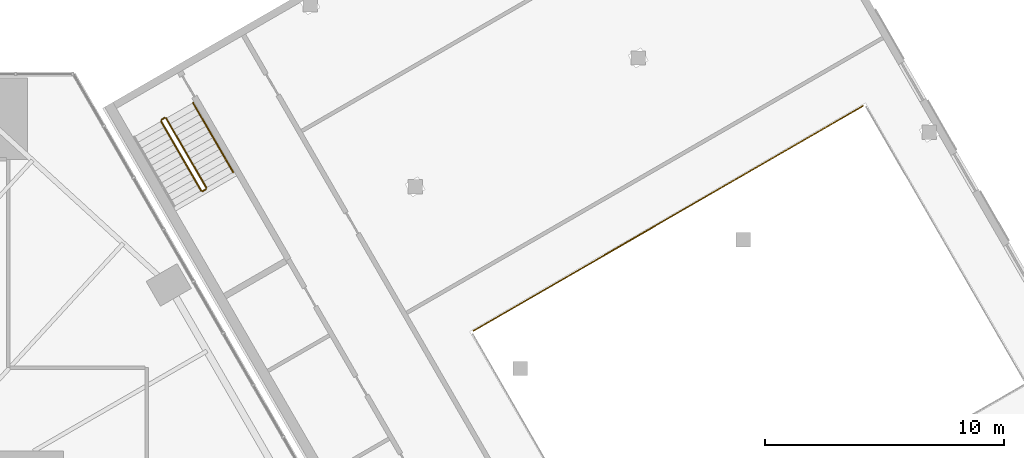
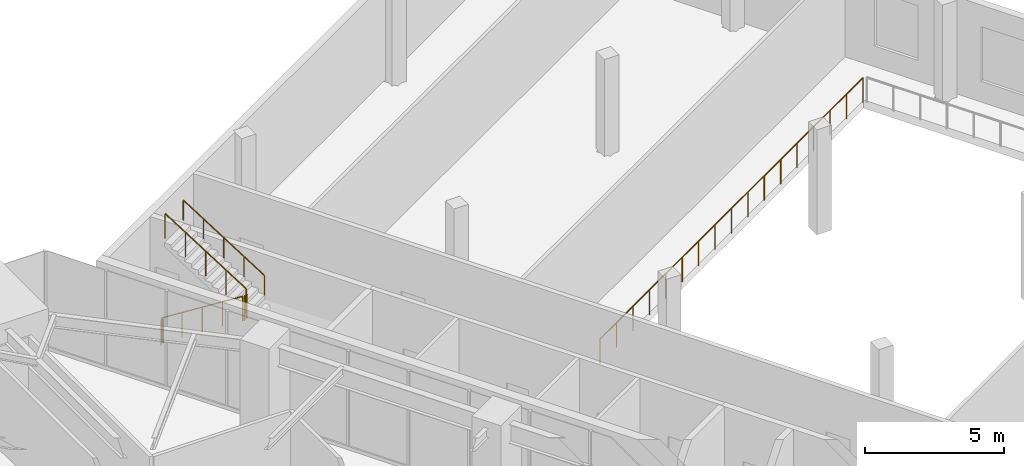
# One storey, part 26 of 30: 6 railings.
"""IFC4 building model written with IfcOpenShell, lengths in metres."""

import ifcopenshell
import ifcopenshell.guid

model = None  # the IFC model being written
_history = None  # IfcOwnerHistory: only IFC2X3 demands one
_inside = {}  # id of a spatial element -> (the spatial element, [elements in it])
_under = {}  # id of a project, library or spatial element -> (it, [spatial elements below it])
_declared = {}  # id of a project -> (the project, [libraries it declares])
_typed = {}  # id of a type object -> (the type object, [elements of that type])
_made_of = {}  # id of a material, layer set ... -> (it, [elements and type objects made of it])


def new_model(schema):
    """Start an empty IFC model of exactly this schema.

    Asked for "IFC4X3", IfcOpenShell would pick the latest addendum, in which some entities
    have other attributes; the version numbers below select the first issue.
    IFC2X3 requires an IfcOwnerHistory on every rooted entity: one is made here for all.
    """
    global model, _history
    if schema == "IFC4X3":
        model = ifcopenshell.file(schema_version=(4, 3, 0, 0))
    else:
        model = ifcopenshell.file(schema=schema)
    _inside.clear()
    _under.clear()
    _declared.clear()
    _typed.clear()
    _made_of.clear()
    _history = None
    if model.schema == "IFC2X3":
        org = make("IfcOrganization", Name="unknown")
        user = make(
            "IfcPersonAndOrganization",
            ThePerson=make("IfcPerson", FamilyName="unknown"),
            TheOrganization=org,
        )
        app = make(
            "IfcApplication",
            ApplicationDeveloper=org,
            Version="unknown",
            ApplicationFullName="unknown",
            ApplicationIdentifier="unknown",
        )
        _history = make(
            "IfcOwnerHistory",
            OwningUser=user,
            OwningApplication=app,
            ChangeAction="ADDED",
            CreationDate=0,
        )
    return model


def make(cls, **values):
    """One entity of the class cls with the attributes given. An attribute that is None is left unset."""
    return model.create_entity(
        cls, **{name: value for name, value in values.items() if value is not None}
    )


def rooted(cls, **values):
    """An entity with a GlobalId (a new one), such as an element, a storey or a relation."""
    return make(cls, GlobalId=ifcopenshell.guid.new(), OwnerHistory=_history, **values)


def si_unit(unit_type, name, prefix=None):
    """IfcSIUnit, for example si_unit("LENGTHUNIT", "METRE", prefix="MILLI")."""
    return make("IfcSIUnit", UnitType=unit_type, Prefix=prefix, Name=name)


def assignment(units):
    """IfcUnitAssignment: the units of a project."""
    return None if units is None else make("IfcUnitAssignment", Units=units)


def point(xyz):
    """IfcCartesianPoint."""
    return None if xyz is None else make("IfcCartesianPoint", Coordinates=xyz)


def direction(xyz):
    """IfcDirection."""
    return None if xyz is None else make("IfcDirection", DirectionRatios=xyz)


def frame(location, z_axis=None, x_axis=None):
    """IfcAxis2Placement3D, a coordinate frame: its origin and axes. An axis left out is left unset."""
    return make(
        "IfcAxis2Placement3D",
        Location=point(location),
        Axis=direction(z_axis),
        RefDirection=direction(x_axis),
    )


def frame_2d(location, x_axis=None):
    """IfcAxis2Placement2D, a coordinate frame in the plane: its origin and x axis."""
    return make(
        "IfcAxis2Placement2D", Location=point(location), RefDirection=direction(x_axis)
    )


def origin():
    """The frame at (0, 0, 0) with its axes left unset."""
    return frame((0.0, 0.0, 0.0))


def origin_2d():
    """The frame at (0, 0) in the plane with its x axis left unset."""
    return frame_2d((0.0, 0.0))


def place(relative_to, where):
    """IfcLocalPlacement: puts the frame where relative to a parent placement (None: the world)."""
    return make(
        "IfcLocalPlacement", PlacementRelTo=relative_to, RelativePlacement=where
    )


def context(
    kind, dimensions, precision=None, world=None, true_north=None, identifier=None
):
    """IfcGeometricRepresentationContext, for example the 3D "Model" context."""
    return make(
        "IfcGeometricRepresentationContext",
        ContextIdentifier=identifier,
        ContextType=kind,
        CoordinateSpaceDimension=dimensions,
        Precision=precision,
        WorldCoordinateSystem=world,
        TrueNorth=true_north,
    )


def subcontext(parent, identifier, kind, view, scale=None):
    """IfcGeometricRepresentationSubContext, for example "Body" below "Model"."""
    return make(
        "IfcGeometricRepresentationSubContext",
        ContextIdentifier=identifier,
        ContextType=kind,
        ParentContext=parent,
        TargetScale=scale,
        TargetView=view,
    )


def project(units=None, contexts=None):
    """IfcProject with its units and contexts."""
    return rooted(
        "IfcProject",
        Name="project",
        RepresentationContexts=contexts,
        UnitsInContext=assignment(units),
    )


def spatial(cls, under=None, at=None, **own):
    """A site, building, storey or space (cls), placed at a placement, below another one or the project."""
    s = rooted(cls, ObjectPlacement=at, **own)
    if under is not None:
        _under.setdefault(under.id(), (under, []))[1].append(s)
    return s


def profile(cls, at=None, kind="AREA", **sizes):
    """A parametric profile (cls). Its sizes go by their IFC names, for example OverallWidth=200.0."""
    return make(cls, ProfileType=kind, Position=at, **sizes)


def circle(**sizes):
    """IfcCircleProfileDef."""
    return profile("IfcCircleProfileDef", **sizes)


def extrude(swept, where, along, depth):
    """IfcExtrudedAreaSolid: the profile swept, set in the frame where, extruded along a direction by depth."""
    return make(
        "IfcExtrudedAreaSolid",
        SweptArea=swept,
        Position=where,
        ExtrudedDirection=direction(along),
        Depth=depth,
    )


def shape(context_of_items, identifier, shape_type, items):
    """IfcShapeRepresentation: the items that make up one representation, for example the "Body"."""
    return make(
        "IfcShapeRepresentation",
        ContextOfItems=context_of_items,
        RepresentationIdentifier=identifier,
        RepresentationType=shape_type,
        Items=items,
    )


def material(Name=None, Category=None):
    """IfcMaterial."""
    return make("IfcMaterial", Name=Name, Category=Category)


def made_of(thing, what):
    """Note that an element or type object is made of a material, layer set ...; save() writes the relation."""
    if what is not None:
        _made_of.setdefault(what.id(), (what, []))[1].append(thing)
    return thing


def type_object(cls, material=None, **own):
    """A type object (cls), such as IfcWallType, which elements share."""
    return made_of(rooted(cls, **own), material)


def element(
    cls,
    number,
    at=None,
    inside=None,
    cuts=None,
    type_object=None,
    material=None,
    context=None,
    identifier="Body",
    shape_type=None,
    held_by="IfcProductDefinitionShape",
    body=None,
    shapes=None,
    **own,
):
    """One element of the class cls, such as IfcWall. Its Tag is "e" and its number.

    at: its placement. inside: the storey or other place that contains it. cuts: it is an
    opening in that element (IfcRelVoidsElement). A single representation is given by context,
    identifier, shape_type and body (its items); several are given by shapes. held_by: the class
    of the entity that holds the representations. save() writes the other relations.
    """
    e = rooted(cls, Tag="e%d" % number, ObjectPlacement=at, **own)
    if body is not None:
        shapes = [shape(context, identifier, shape_type, body)]
    if shapes is not None:
        e.Representation = make(held_by, Representations=shapes)
    if inside is not None:
        _inside.setdefault(inside.id(), (inside, []))[1].append(e)
    if cuts is not None:
        rooted(
            "IfcRelVoidsElement", RelatingBuildingElement=cuts, RelatedOpeningElement=e
        )
    if type_object is not None:
        _typed.setdefault(type_object.id(), (type_object, []))[1].append(e)
    return made_of(e, material)


def aggregate(whole, parts):
    """IfcRelAggregates: a whole, such as a stair, and the parts it consists of."""
    return rooted("IfcRelAggregates", RelatingObject=whole, RelatedObjects=parts)


def save(model, path):
    """Write the relations noted so far, then the file.

    IfcRelAggregates (storeys below a building ...), IfcRelContainedInSpatialStructure (elements
    in a storey), IfcRelDefinesByType, IfcRelAssociatesMaterial and IfcRelDeclares: one each for
    every whole, place, type object, material and project.
    """
    for whole, parts in _under.values():
        aggregate(whole, parts)
    for where, things in _inside.values():
        rooted(
            "IfcRelContainedInSpatialStructure",
            RelatedElements=things,
            RelatingStructure=where,
        )
    for kind, things in _typed.values():
        rooted("IfcRelDefinesByType", RelatedObjects=things, RelatingType=kind)
    for what, things in _made_of.values():
        rooted("IfcRelAssociatesMaterial", RelatedObjects=things, RelatingMaterial=what)
    for by, libraries in _declared.values():
        rooted("IfcRelDeclares", RelatingContext=by, RelatedDefinitions=libraries)
    model.write(path)


model = new_model("IFC4")

# Units and contexts
model_context = context("Model", 3, precision=1e-05, world=origin(), true_north=direction((0.0, 1.0)))
body_context = subcontext(model_context, "Body", "Model", "MODEL_VIEW")
ifc_project = project(units=[si_unit("LENGTHUNIT", "METRE"), si_unit("AREAUNIT", "SQUARE_METRE"), si_unit("VOLUMEUNIT", "CUBIC_METRE"), si_unit("PLANEANGLEUNIT", "RADIAN"), si_unit("MASSUNIT", "GRAM", prefix="KILO")], contexts=[model_context])

# Site, building, storey
site_placement = place(None, origin())
site = spatial("IfcSite", under=ifc_project, at=site_placement, CompositionType="ELEMENT")
building_placement = place(site_placement, origin())
building = spatial("IfcBuilding", under=site, at=building_placement, Name="Firuza Gate Tower and Library", CompositionType="ELEMENT")
storey_placement = place(building_placement, frame((0.0, 0.0, 12.60009765625)))
storey = spatial("IfcBuildingStorey", under=building, at=storey_placement, Name="L02", CompositionType="ELEMENT", Elevation=12.60009765625)

# Railings
ifc_material_1 = material(Name="Steel S355", Category="steel")
railing_type_1 = type_object("IfcRailingType", Name="LIB GUARD", PredefinedType="GUARDRAIL", material=ifc_material_1)
railing_1_placement = place(storey_placement, frame((82.298583984375, 108.427734375, 0.1767578125)))
element("IfcRailing", 1, at=railing_1_placement, inside=storey, type_object=railing_type_1, Name="L02 LIB-ST-A stair guard 1", PredefinedType="GUARDRAIL", context=body_context, shape_type="SweptSolid", body=[
    extrude(circle(Radius=0.02392578125, at=origin_2d()), frame((0.0, 0.0, 1.076171875), z_axis=(0.422671638265, -0.732135337376, 0.534159652137), x_axis=(0.866039179741, 0.499976138585, 0.0)), (0.0, 0.0, 1.0), 3.974609375),
    extrude(circle(Radius=0.02099609375, at=origin_2d()), origin(), (0.0, 0.0, 1.0), 1.052001953125),
    extrude(circle(Radius=0.02099609375, at=origin_2d()), frame((0.419921875, -0.7275390625, 0.53076171875)), (0.0, 0.0, 1.0), 1.052001953125),
    extrude(circle(Radius=0.02099609375, at=origin_2d()), frame((0.83984375, -1.455078125, 1.0615234375)), (0.0, 0.0, 1.0), 1.052001953125),
    extrude(circle(Radius=0.02099609375, at=origin_2d()), frame((1.260009765625, -2.182373046875, 1.59228515625)), (0.0, 0.0, 1.0), 1.052001953125),
    extrude(circle(Radius=0.02099609375, at=origin_2d()), frame((1.679931640625, -2.909912109375, 2.123046875)), (0.0, 0.0, 1.0), 1.052001953125),
])
railing_2_placement = place(storey_placement, frame((84.046875, 105.49951171875, 2.2998046875)))
element("IfcRailing", 2, at=railing_2_placement, inside=storey, type_object=railing_type_1, Name="L02 LIB-ST-A stair guard 2", PredefinedType="GUARDRAIL", context=body_context, shape_type="SweptSolid", body=[
    extrude(circle(Radius=0.02392578125, at=origin_2d()), frame((0.0, 0.0, 1.076171875), z_axis=(0.865426285481, 0.501036270542, 0.0), x_axis=(-0.501036270542, 0.865426285481, 0.0)), (0.0, 0.0, 1.0), 0.150146484375),
    extrude(circle(Radius=0.02099609375, at=origin_2d()), origin(), (0.0, 0.0, 1.0), 1.052001953125),
    extrude(circle(Radius=0.02099609375, at=origin_2d()), frame((0.1298828125, 0.0751953125, 0.0)), (0.0, 0.0, 1.0), 1.052001953125),
])
railing_3_placement = place(storey_placement, frame((84.195068359375, 105.642822265625, 2.476806640625)))
element("IfcRailing", 3, at=railing_3_placement, inside=storey, type_object=railing_type_1, Name="L02 LIB-ST-A stair guard 3", PredefinedType="GUARDRAIL", context=body_context, shape_type="SweptSolid", body=[
    extrude(circle(Radius=0.02392578125, at=origin_2d()), frame((0.0, 0.0, 1.076171875), z_axis=(-0.422671638265, 0.732135337376, 0.534159652137), x_axis=(-0.866039179741, -0.499976138585, 0.0)), (0.0, 0.0, 1.0), 3.974609375),
    extrude(circle(Radius=0.02099609375, at=origin_2d()), origin(), (0.0, 0.0, 1.0), 1.052001953125),
    extrude(circle(Radius=0.02099609375, at=origin_2d()), frame((-0.419921875, 0.7275390625, 0.53076171875)), (0.0, 0.0, 1.0), 1.052001953125),
    extrude(circle(Radius=0.02099609375, at=origin_2d()), frame((-0.83984375, 1.455078125, 1.0615234375)), (0.0, 0.0, 1.0), 1.052001953125),
    extrude(circle(Radius=0.02099609375, at=origin_2d()), frame((-1.260009765625, 2.182373046875, 1.59228515625)), (0.0, 0.0, 1.0), 1.052001953125),
    extrude(circle(Radius=0.02099609375, at=origin_2d()), frame((-1.679931640625, 2.909912109375, 2.123046875)), (0.0, 0.0, 1.0), 1.052001953125),
])
railing_4_placement = place(storey_placement, frame((82.31689453125, 108.49609375, 0.0)))
element("IfcRailing", 4, at=railing_4_placement, inside=storey, type_object=railing_type_1, Name="L02 LIB-ST-A stair guard 4", PredefinedType="GUARDRAIL", context=body_context, shape_type="SweptSolid", body=[
    extrude(circle(Radius=0.02392578125, at=origin_2d()), frame((0.0, 0.0, 1.076171875), z_axis=(0.866131372301, 0.499816412211, 0.0), x_axis=(-0.499816412211, 0.866131372301, 0.0)), (0.0, 0.0, 1.0), 0.14990234375),
    extrude(circle(Radius=0.02099609375, at=origin_2d()), origin(), (0.0, 0.0, 1.0), 1.052001953125),
    extrude(circle(Radius=0.02099609375, at=origin_2d()), frame((0.1298828125, 0.074951171875, 0.0)), (0.0, 0.0, 1.0), 1.052001953125),
])
railing_5_placement = place(storey_placement, frame((95.392333984375, 99.6484375, 0.0)))
element("IfcRailing", 5, at=railing_5_placement, inside=storey, type_object=railing_type_1, Name="Reading room gallery guard 2", PredefinedType="GUARDRAIL", context=body_context, shape_type="SweptSolid", body=[
    extrude(circle(Radius=0.02392578125, at=origin_2d()), frame((0.0, 0.0, 1.076171875), z_axis=(0.866025981991, 0.499998998516, 0.0), x_axis=(-0.499998998516, 0.866025981991, 0.0)), (0.0, 0.0, 1.0), 18.85009765625),
    extrude(circle(Radius=0.02099609375, at=origin_2d()), origin(), (0.0, 0.0, 1.0), 1.052001953125),
    extrude(circle(Radius=0.02099609375, at=origin_2d()), frame((1.020263671875, 0.589111328125, 0.0)), (0.0, 0.0, 1.0), 1.052001953125),
    extrude(circle(Radius=0.02099609375, at=origin_2d()), frame((2.04052734375, 1.17822265625, 0.0)), (0.0, 0.0, 1.0), 1.052001953125),
    extrude(circle(Radius=0.02099609375, at=origin_2d()), frame((3.060791015625, 1.76708984375, 0.0)), (0.0, 0.0, 1.0), 1.052001953125),
    extrude(circle(Radius=0.02099609375, at=origin_2d()), frame((4.0810546875, 2.356201171875, 0.0)), (0.0, 0.0, 1.0), 1.052001953125),
    extrude(circle(Radius=0.02099609375, at=origin_2d()), frame((5.1015625, 2.9453125, 0.0)), (0.0, 0.0, 1.0), 1.052001953125),
    extrude(circle(Radius=0.02099609375, at=origin_2d()), frame((6.121826171875, 3.534423828125, 0.0)), (0.0, 0.0, 1.0), 1.052001953125),
    extrude(circle(Radius=0.02099609375, at=origin_2d()), frame((7.14208984375, 4.12353515625, 0.0)), (0.0, 0.0, 1.0), 1.052001953125),
    extrude(circle(Radius=0.02099609375, at=origin_2d()), frame((8.162353515625, 4.71240234375, 0.0)), (0.0, 0.0, 1.0), 1.052001953125),
    extrude(circle(Radius=0.02099609375, at=origin_2d()), frame((9.1826171875, 5.301513671875, 0.0)), (0.0, 0.0, 1.0), 1.052001953125),
    extrude(circle(Radius=0.02099609375, at=origin_2d()), frame((10.202880859375, 5.890625, 0.0)), (0.0, 0.0, 1.0), 1.052001953125),
    extrude(circle(Radius=0.02099609375, at=origin_2d()), frame((11.22314453125, 6.479736328125, 0.0)), (0.0, 0.0, 1.0), 1.052001953125),
    extrude(circle(Radius=0.02099609375, at=origin_2d()), frame((12.24365234375, 7.06884765625, 0.0)), (0.0, 0.0, 1.0), 1.052001953125),
    extrude(circle(Radius=0.02099609375, at=origin_2d()), frame((13.263916015625, 7.657958984375, 0.0)), (0.0, 0.0, 1.0), 1.052001953125),
    extrude(circle(Radius=0.02099609375, at=origin_2d()), frame((14.2841796875, 8.246826171875, 0.0)), (0.0, 0.0, 1.0), 1.052001953125),
    extrude(circle(Radius=0.02099609375, at=origin_2d()), frame((15.304443359375, 8.8359375, 0.0)), (0.0, 0.0, 1.0), 1.052001953125),
    extrude(circle(Radius=0.02099609375, at=origin_2d()), frame((16.32470703125, 9.425048828125, 0.0)), (0.0, 0.0, 1.0), 1.052001953125),
])
ifc_material_2 = material(Name="Steel S355", Category="steel")
railing_type_2 = type_object("IfcRailingType", Name="LIB HANDRAIL", PredefinedType="HANDRAIL", material=ifc_material_2)
railing_6_placement = place(storey_placement, frame((85.32080078125, 106.29296875, 2.476806640625)))
element("IfcRailing", 6, at=railing_6_placement, inside=storey, type_object=railing_type_2, Name="L02 LIB-ST-A stair handrail 2", PredefinedType="HANDRAIL", context=body_context, shape_type="SweptSolid", body=[
    extrude(circle(Radius=0.02392578125, at=origin_2d()), frame((0.0, 0.0, 0.8759765625), z_axis=(-0.422671638265, 0.732135337376, 0.534159652137), x_axis=(-0.866039179741, -0.499976138585, 0.0)), (0.0, 0.0, 1.0), 3.974609375),
    extrude(circle(Radius=0.02099609375, at=origin_2d()), origin(), (0.0, 0.0, 1.0), 0.851806640625),
    extrude(circle(Radius=0.02099609375, at=origin_2d()), frame((-0.419921875, 0.7275390625, 0.53076171875)), (0.0, 0.0, 1.0), 0.851806640625),
    extrude(circle(Radius=0.02099609375, at=origin_2d()), frame((-0.83984375, 1.455078125, 1.0615234375)), (0.0, 0.0, 1.0), 0.851806640625),
    extrude(circle(Radius=0.02099609375, at=origin_2d()), frame((-1.260009765625, 2.182373046875, 1.59228515625)), (0.0, 0.0, 1.0), 0.851806640625),
    extrude(circle(Radius=0.02099609375, at=origin_2d()), frame((-1.679931640625, 2.909912109375, 2.123046875)), (0.0, 0.0, 1.0), 0.851806640625),
])

save(model, "model.ifc")
